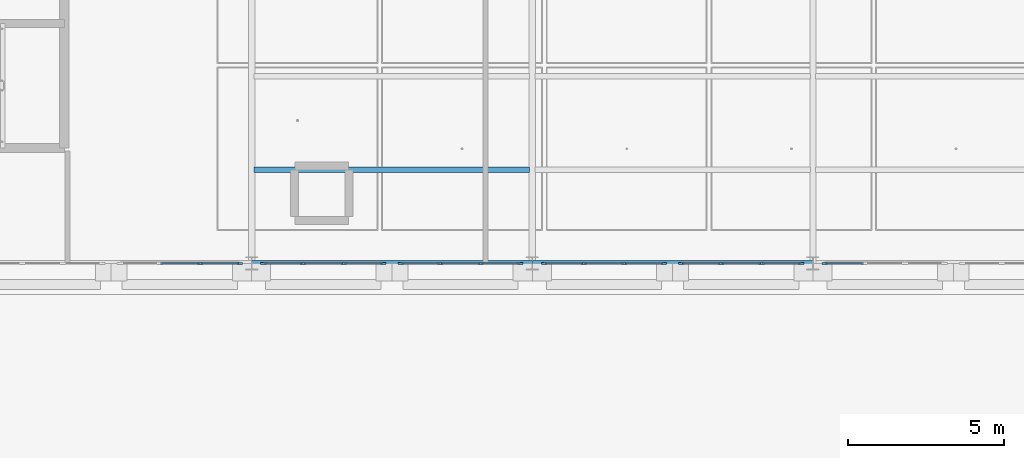
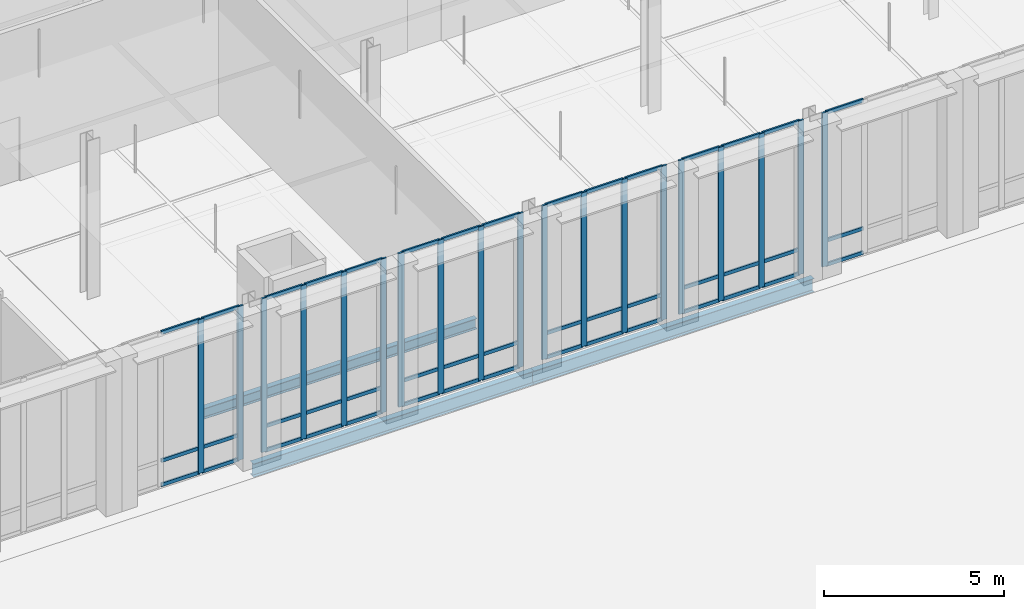
# One storey, part 64 of 180: 64 members, 3 beams, 6 elements without a shape of their own.
"""IFC4 building model written with IfcOpenShell, lengths in metres."""

from ifc_helpers import new_model, si_unit, direction, frame, origin, origin_2d, place, context, subcontext, project, spatial, rectangle, i_section, extrude, material, material_profile, profile_set, type_object, element, aggregate, save


model = new_model("IFC4")

# Units and contexts
model_context = context("Model", 3, precision=1e-05, world=origin(), true_north=direction((0.0, 1.0)))
body_context = subcontext(model_context, "Body", "Model", "MODEL_VIEW")
ifc_project = project(units=[si_unit("LENGTHUNIT", "METRE"), si_unit("AREAUNIT", "SQUARE_METRE"), si_unit("VOLUMEUNIT", "CUBIC_METRE"), si_unit("PLANEANGLEUNIT", "RADIAN"), si_unit("MASSUNIT", "GRAM", prefix="KILO"), si_unit("THERMODYNAMICTEMPERATUREUNIT", "KELVIN"), si_unit("POWERUNIT", "WATT")], contexts=[model_context])

# Site, building, storey
site_placement = place(None, origin())
site = spatial("IfcSite", under=ifc_project, at=site_placement, CompositionType="ELEMENT")
building_placement = place(site_placement, origin())
building = spatial("IfcBuilding", under=site, at=building_placement, Name="Tallowbark Science Centre", CompositionType="ELEMENT")
storey_placement = place(building_placement, origin())
storey = spatial("IfcBuildingStorey", under=building, at=storey_placement, Name="L00", CompositionType="ELEMENT", Elevation=0.0)

# Curtain wall, members
ifc_material_1 = material(Name="Unitised Thermally Broken Aluminium and Low-E Double Glazing", Category="aluminium")
curtain_wall_type = type_object("IfcCurtainWallType", Name="CW-SYS-FACADE", PredefinedType="NOTDEFINED", material=ifc_material_1)
curtain_wall_1_placement = place(storey_placement, origin())
curtain_wall_1 = element("IfcCurtainWall", 1, at=curtain_wall_1_placement, inside=storey, type_object=curtain_wall_type, Name="Unitised Curtain Wall OBS-S-121B CW-L00-093", PredefinedType="NOTDEFINED")
ifc_material_2 = material(Name="Anodised Architectural Aluminium Alloy 6063-T6", Category="aluminium")
ifc_material_profile_1 = material_profile(ifc_material_2, rectangle(XDim=0.06494140625, YDim=0.179931640625, at=origin_2d()), Name="ALU65x180")
ifc_profile_set_1 = profile_set([ifc_material_profile_1], Name="Anodised Architectural Aluminium Alloy 6063-T6")
member_type_1 = type_object("IfcMemberType", Name="CWM-MUL-220", PredefinedType="MULLION", material=ifc_profile_set_1)
member_1_placement = place(storey_placement, frame((128.85009765625, 72.0, 0.0), z_axis=(0.0, 0.0, 1.0), x_axis=(0.0, 1.0, 0.0)))
member_1 = element("IfcMember", 2, at=member_1_placement, type_object=member_type_1, Name="CW-01 mullion 3", PredefinedType="MULLION", context=body_context, shape_type="SweptSolid", body=[
    extrude(rectangle(XDim=0.06494140625, YDim=0.179931640625, at=origin_2d()), origin(), (0.0, 0.0, 1.0), 5.219970703125),
])
member_2_placement = place(storey_placement, frame((130.117431640625, 72.0, 0.0), z_axis=(0.0, 0.0, 1.0), x_axis=(0.0, 1.0, 0.0)))
member_2 = element("IfcMember", 3, at=member_2_placement, type_object=member_type_1, Name="CW-01 mullion 4", PredefinedType="MULLION", context=body_context, shape_type="SweptSolid", body=[
    extrude(rectangle(XDim=0.06494140625, YDim=0.179931640625, at=origin_2d()), origin(), (0.0, 0.0, 1.0), 5.219970703125),
])

curtain_wall_2_placement = place(storey_placement, origin())
curtain_wall_2 = element("IfcCurtainWall", 4, at=curtain_wall_2_placement, inside=storey, type_object=curtain_wall_type, Name="Unitised Curtain Wall OBS-S-130A CW-L00-096", PredefinedType="NOTDEFINED")
member_3_placement = place(storey_placement, frame((130.882568359375, 72.0, 0.0), z_axis=(0.0, 0.0, 1.0), x_axis=(0.0, 1.0, 0.0)))
member_3 = element("IfcMember", 5, at=member_3_placement, type_object=member_type_1, Name="CW-01 mullion 1", PredefinedType="MULLION", context=body_context, shape_type="SweptSolid", body=[
    extrude(rectangle(XDim=0.06494140625, YDim=0.179931640625, at=origin_2d()), origin(), (0.0, 0.0, 1.0), 5.219970703125),
])
member_4_placement = place(storey_placement, frame((132.14990234375, 72.0, 0.0), z_axis=(0.0, 0.0, 1.0), x_axis=(0.0, 1.0, 0.0)))
member_4 = element("IfcMember", 6, at=member_4_placement, type_object=member_type_1, Name="CW-01 mullion 2", PredefinedType="MULLION", context=body_context, shape_type="SweptSolid", body=[
    extrude(rectangle(XDim=0.06494140625, YDim=0.179931640625, at=origin_2d()), origin(), (0.0, 0.0, 1.0), 5.219970703125),
])
member_5_placement = place(storey_placement, frame((133.449951171875, 72.0, 0.0), z_axis=(0.0, 0.0, 1.0), x_axis=(0.0, 1.0, 0.0)))
member_5 = element("IfcMember", 7, at=member_5_placement, type_object=member_type_1, Name="CW-01 mullion 3", PredefinedType="MULLION", context=body_context, shape_type="SweptSolid", body=[
    extrude(rectangle(XDim=0.06494140625, YDim=0.179931640625, at=origin_2d()), origin(), (0.0, 0.0, 1.0), 5.219970703125),
])
member_6_placement = place(storey_placement, frame((134.717529296875, 72.0, 0.0), z_axis=(0.0, 0.0, 1.0), x_axis=(0.0, 1.0, 0.0)))
member_6 = element("IfcMember", 8, at=member_6_placement, type_object=member_type_1, Name="CW-01 mullion 4", PredefinedType="MULLION", context=body_context, shape_type="SweptSolid", body=[
    extrude(rectangle(XDim=0.06494140625, YDim=0.179931640625, at=origin_2d()), origin(), (0.0, 0.0, 1.0), 5.219970703125),
])

curtain_wall_3_placement = place(storey_placement, origin())
curtain_wall_3 = element("IfcCurtainWall", 9, at=curtain_wall_3_placement, inside=storey, type_object=curtain_wall_type, Name="Unitised Curtain Wall OBS-S-130B CW-L00-097", PredefinedType="NOTDEFINED")
member_7_placement = place(storey_placement, frame((135.282470703125, 72.0, 0.0), z_axis=(0.0, 0.0, 1.0), x_axis=(0.0, 1.0, 0.0)))
member_7 = element("IfcMember", 10, at=member_7_placement, type_object=member_type_1, Name="CW-01 mullion 1", PredefinedType="MULLION", context=body_context, shape_type="SweptSolid", body=[
    extrude(rectangle(XDim=0.06494140625, YDim=0.179931640625, at=origin_2d()), origin(), (0.0, 0.0, 1.0), 5.219970703125),
])
member_8_placement = place(storey_placement, frame((136.550048828125, 72.0, 0.0), z_axis=(0.0, 0.0, 1.0), x_axis=(0.0, 1.0, 0.0)))
member_8 = element("IfcMember", 11, at=member_8_placement, type_object=member_type_1, Name="CW-01 mullion 2", PredefinedType="MULLION", context=body_context, shape_type="SweptSolid", body=[
    extrude(rectangle(XDim=0.06494140625, YDim=0.179931640625, at=origin_2d()), origin(), (0.0, 0.0, 1.0), 5.219970703125),
])
member_9_placement = place(storey_placement, frame((137.85009765625, 72.0, 0.0), z_axis=(0.0, 0.0, 1.0), x_axis=(0.0, 1.0, 0.0)))
member_9 = element("IfcMember", 12, at=member_9_placement, type_object=member_type_1, Name="CW-01 mullion 3", PredefinedType="MULLION", context=body_context, shape_type="SweptSolid", body=[
    extrude(rectangle(XDim=0.06494140625, YDim=0.179931640625, at=origin_2d()), origin(), (0.0, 0.0, 1.0), 5.219970703125),
])
member_10_placement = place(storey_placement, frame((139.117431640625, 72.0, 0.0), z_axis=(0.0, 0.0, 1.0), x_axis=(0.0, 1.0, 0.0)))
member_10 = element("IfcMember", 13, at=member_10_placement, type_object=member_type_1, Name="CW-01 mullion 4", PredefinedType="MULLION", context=body_context, shape_type="SweptSolid", body=[
    extrude(rectangle(XDim=0.06494140625, YDim=0.179931640625, at=origin_2d()), origin(), (0.0, 0.0, 1.0), 5.219970703125),
])

curtain_wall_4_placement = place(storey_placement, origin())
curtain_wall_4 = element("IfcCurtainWall", 14, at=curtain_wall_4_placement, inside=storey, type_object=curtain_wall_type, Name="Unitised Curtain Wall OBS-S-139A CW-L00-098", PredefinedType="NOTDEFINED")
member_11_placement = place(storey_placement, frame((139.882568359375, 72.0, 0.0), z_axis=(0.0, 0.0, 1.0), x_axis=(0.0, 1.0, 0.0)))
member_11 = element("IfcMember", 15, at=member_11_placement, type_object=member_type_1, Name="CW-01 mullion 1", PredefinedType="MULLION", context=body_context, shape_type="SweptSolid", body=[
    extrude(rectangle(XDim=0.06494140625, YDim=0.179931640625, at=origin_2d()), origin(), (0.0, 0.0, 1.0), 5.219970703125),
])
member_12_placement = place(storey_placement, frame((141.14990234375, 72.0, 0.0), z_axis=(0.0, 0.0, 1.0), x_axis=(0.0, 1.0, 0.0)))
member_12 = element("IfcMember", 16, at=member_12_placement, type_object=member_type_1, Name="CW-01 mullion 2", PredefinedType="MULLION", context=body_context, shape_type="SweptSolid", body=[
    extrude(rectangle(XDim=0.06494140625, YDim=0.179931640625, at=origin_2d()), origin(), (0.0, 0.0, 1.0), 5.219970703125),
])
member_13_placement = place(storey_placement, frame((142.449951171875, 72.0, 0.0), z_axis=(0.0, 0.0, 1.0), x_axis=(0.0, 1.0, 0.0)))
member_13 = element("IfcMember", 17, at=member_13_placement, type_object=member_type_1, Name="CW-01 mullion 3", PredefinedType="MULLION", context=body_context, shape_type="SweptSolid", body=[
    extrude(rectangle(XDim=0.06494140625, YDim=0.179931640625, at=origin_2d()), origin(), (0.0, 0.0, 1.0), 5.219970703125),
])
member_14_placement = place(storey_placement, frame((143.717529296875, 72.0, 0.0), z_axis=(0.0, 0.0, 1.0), x_axis=(0.0, 1.0, 0.0)))
member_14 = element("IfcMember", 18, at=member_14_placement, type_object=member_type_1, Name="CW-01 mullion 4", PredefinedType="MULLION", context=body_context, shape_type="SweptSolid", body=[
    extrude(rectangle(XDim=0.06494140625, YDim=0.179931640625, at=origin_2d()), origin(), (0.0, 0.0, 1.0), 5.219970703125),
])

curtain_wall_5_placement = place(storey_placement, origin())
curtain_wall_5 = element("IfcCurtainWall", 19, at=curtain_wall_5_placement, inside=storey, type_object=curtain_wall_type, Name="Unitised Curtain Wall OBS-S-139B CW-L00-099", PredefinedType="NOTDEFINED")
member_15_placement = place(storey_placement, frame((144.282470703125, 72.0, 0.0), z_axis=(0.0, 0.0, 1.0), x_axis=(0.0, 1.0, 0.0)))
member_15 = element("IfcMember", 20, at=member_15_placement, type_object=member_type_1, Name="CW-01 mullion 1", PredefinedType="MULLION", context=body_context, shape_type="SweptSolid", body=[
    extrude(rectangle(XDim=0.06494140625, YDim=0.179931640625, at=origin_2d()), origin(), (0.0, 0.0, 1.0), 5.219970703125),
])
member_16_placement = place(storey_placement, frame((145.550048828125, 72.0, 0.0), z_axis=(0.0, 0.0, 1.0), x_axis=(0.0, 1.0, 0.0)))
member_16 = element("IfcMember", 21, at=member_16_placement, type_object=member_type_1, Name="CW-01 mullion 2", PredefinedType="MULLION", context=body_context, shape_type="SweptSolid", body=[
    extrude(rectangle(XDim=0.06494140625, YDim=0.179931640625, at=origin_2d()), origin(), (0.0, 0.0, 1.0), 5.219970703125),
])
member_17_placement = place(storey_placement, frame((146.85009765625, 72.0, 0.0), z_axis=(0.0, 0.0, 1.0), x_axis=(0.0, 1.0, 0.0)))
member_17 = element("IfcMember", 22, at=member_17_placement, type_object=member_type_1, Name="CW-01 mullion 3", PredefinedType="MULLION", context=body_context, shape_type="SweptSolid", body=[
    extrude(rectangle(XDim=0.06494140625, YDim=0.179931640625, at=origin_2d()), origin(), (0.0, 0.0, 1.0), 5.219970703125),
])
member_18_placement = place(storey_placement, frame((148.117431640625, 72.0, 0.0), z_axis=(0.0, 0.0, 1.0), x_axis=(0.0, 1.0, 0.0)))
member_18 = element("IfcMember", 23, at=member_18_placement, type_object=member_type_1, Name="CW-01 mullion 4", PredefinedType="MULLION", context=body_context, shape_type="SweptSolid", body=[
    extrude(rectangle(XDim=0.06494140625, YDim=0.179931640625, at=origin_2d()), origin(), (0.0, 0.0, 1.0), 5.219970703125),
])

# Curtain wall, member
curtain_wall_6_placement = place(storey_placement, origin())
curtain_wall_6 = element("IfcCurtainWall", 24, at=curtain_wall_6_placement, inside=storey, type_object=curtain_wall_type, Name="Unitised Curtain Wall OBS-S-148A CW-L00-102", PredefinedType="NOTDEFINED")
member_19_placement = place(storey_placement, frame((148.882568359375, 72.0, 0.0), z_axis=(0.0, 0.0, 1.0), x_axis=(0.0, 1.0, 0.0)))
member_19 = element("IfcMember", 25, at=member_19_placement, type_object=member_type_1, Name="CW-01 mullion 1", PredefinedType="MULLION", context=body_context, shape_type="SweptSolid", body=[
    extrude(rectangle(XDim=0.06494140625, YDim=0.179931640625, at=origin_2d()), origin(), (0.0, 0.0, 1.0), 5.219970703125),
])

# Member
ifc_material_profile_2 = material_profile(ifc_material_2, rectangle(XDim=0.054931640625, YDim=0.1201171875, at=origin_2d()), Name="ALU55x120")
ifc_profile_set_2 = profile_set([ifc_material_profile_2], Name="Anodised Architectural Aluminium Alloy 6063-T6")
member_type_2 = type_object("IfcMemberType", Name="CWM-TRN-150", PredefinedType="USERDEFINED", material=ifc_profile_set_2)
member_20_placement = place(storey_placement, frame((127.58251953125, 72.0, 0.027587890625), z_axis=(1.0, 0.0, 0.0), x_axis=(0.0, 1.0, 0.0)))
member_20 = element("IfcMember", 26, at=member_20_placement, type_object=member_type_2, Name="CW-01 transom 2.1", ObjectType="TRANSOM", PredefinedType="USERDEFINED", context=body_context, shape_type="SweptSolid", body=[
    extrude(rectangle(XDim=0.054931640625, YDim=0.1201171875, at=origin_2d()), origin(), (0.0, 0.0, 1.0), 1.23486328125),
])

member_21_placement = place(storey_placement, frame((127.58251953125, 72.0, 0.85009765625), z_axis=(1.0, 0.0, 0.0), x_axis=(0.0, 1.0, 0.0)))
member_21 = element("IfcMember", 27, at=member_21_placement, type_object=member_type_2, Name="CW-01 transom 2.2", ObjectType="TRANSOM", PredefinedType="USERDEFINED", context=body_context, shape_type="SweptSolid", body=[
    extrude(rectangle(XDim=0.054931640625, YDim=0.1201171875, at=origin_2d()), origin(), (0.0, 0.0, 1.0), 1.23486328125),
])

member_22_placement = place(storey_placement, frame((127.58251953125, 72.0, 5.1923828125), z_axis=(1.0, 0.0, 0.0), x_axis=(0.0, 1.0, 0.0)))
member_22 = element("IfcMember", 28, at=member_22_placement, type_object=member_type_2, Name="CW-01 transom 2.3", ObjectType="TRANSOM", PredefinedType="USERDEFINED", context=body_context, shape_type="SweptSolid", body=[
    extrude(rectangle(XDim=0.054931640625, YDim=0.1201171875, at=origin_2d()), origin(), (0.0, 0.0, 1.0), 1.23486328125),
])

member_23_placement = place(storey_placement, frame((128.882568359375, 72.0, 0.027587890625), z_axis=(1.0, 0.0, 0.0), x_axis=(0.0, 1.0, 0.0)))
member_23 = element("IfcMember", 29, at=member_23_placement, type_object=member_type_2, Name="CW-01 transom 3.1", ObjectType="TRANSOM", PredefinedType="USERDEFINED", context=body_context, shape_type="SweptSolid", body=[
    extrude(rectangle(XDim=0.054931640625, YDim=0.1201171875, at=origin_2d()), origin(), (0.0, 0.0, 1.0), 1.202392578125),
])

member_24_placement = place(storey_placement, frame((128.882568359375, 72.0, 0.85009765625), z_axis=(1.0, 0.0, 0.0), x_axis=(0.0, 1.0, 0.0)))
member_24 = element("IfcMember", 30, at=member_24_placement, type_object=member_type_2, Name="CW-01 transom 3.2", ObjectType="TRANSOM", PredefinedType="USERDEFINED", context=body_context, shape_type="SweptSolid", body=[
    extrude(rectangle(XDim=0.054931640625, YDim=0.1201171875, at=origin_2d()), origin(), (0.0, 0.0, 1.0), 1.202392578125),
])

member_25_placement = place(storey_placement, frame((128.882568359375, 72.0, 5.1923828125), z_axis=(1.0, 0.0, 0.0), x_axis=(0.0, 1.0, 0.0)))
member_25 = element("IfcMember", 31, at=member_25_placement, type_object=member_type_2, Name="CW-01 transom 3.3", ObjectType="TRANSOM", PredefinedType="USERDEFINED", context=body_context, shape_type="SweptSolid", body=[
    extrude(rectangle(XDim=0.054931640625, YDim=0.1201171875, at=origin_2d()), origin(), (0.0, 0.0, 1.0), 1.202392578125),
])

aggregate(curtain_wall_1, [member_1, member_2, member_20, member_21, member_22, member_23, member_24, member_25])

member_26_placement = place(storey_placement, frame((130.9150390625, 72.0, 0.027587890625), z_axis=(1.0, 0.0, 0.0), x_axis=(0.0, 1.0, 0.0)))
member_26 = element("IfcMember", 32, at=member_26_placement, type_object=member_type_2, Name="CW-01 transom 1.1", ObjectType="TRANSOM", PredefinedType="USERDEFINED", context=body_context, shape_type="SweptSolid", body=[
    extrude(rectangle(XDim=0.054931640625, YDim=0.1201171875, at=origin_2d()), origin(), (0.0, 0.0, 1.0), 1.202392578125),
])

member_27_placement = place(storey_placement, frame((130.9150390625, 72.0, 0.85009765625), z_axis=(1.0, 0.0, 0.0), x_axis=(0.0, 1.0, 0.0)))
member_27 = element("IfcMember", 33, at=member_27_placement, type_object=member_type_2, Name="CW-01 transom 1.2", ObjectType="TRANSOM", PredefinedType="USERDEFINED", context=body_context, shape_type="SweptSolid", body=[
    extrude(rectangle(XDim=0.054931640625, YDim=0.1201171875, at=origin_2d()), origin(), (0.0, 0.0, 1.0), 1.202392578125),
])

member_28_placement = place(storey_placement, frame((130.9150390625, 72.0, 5.1923828125), z_axis=(1.0, 0.0, 0.0), x_axis=(0.0, 1.0, 0.0)))
member_28 = element("IfcMember", 34, at=member_28_placement, type_object=member_type_2, Name="CW-01 transom 1.3", ObjectType="TRANSOM", PredefinedType="USERDEFINED", context=body_context, shape_type="SweptSolid", body=[
    extrude(rectangle(XDim=0.054931640625, YDim=0.1201171875, at=origin_2d()), origin(), (0.0, 0.0, 1.0), 1.202392578125),
])

member_29_placement = place(storey_placement, frame((132.1826171875, 72.0, 0.027587890625), z_axis=(1.0, 0.0, 0.0), x_axis=(0.0, 1.0, 0.0)))
member_29 = element("IfcMember", 35, at=member_29_placement, type_object=member_type_2, Name="CW-01 transom 2.1", ObjectType="TRANSOM", PredefinedType="USERDEFINED", context=body_context, shape_type="SweptSolid", body=[
    extrude(rectangle(XDim=0.054931640625, YDim=0.1201171875, at=origin_2d()), origin(), (0.0, 0.0, 1.0), 1.23486328125),
])

member_30_placement = place(storey_placement, frame((132.1826171875, 72.0, 0.85009765625), z_axis=(1.0, 0.0, 0.0), x_axis=(0.0, 1.0, 0.0)))
member_30 = element("IfcMember", 36, at=member_30_placement, type_object=member_type_2, Name="CW-01 transom 2.2", ObjectType="TRANSOM", PredefinedType="USERDEFINED", context=body_context, shape_type="SweptSolid", body=[
    extrude(rectangle(XDim=0.054931640625, YDim=0.1201171875, at=origin_2d()), origin(), (0.0, 0.0, 1.0), 1.23486328125),
])

member_31_placement = place(storey_placement, frame((132.1826171875, 72.0, 5.1923828125), z_axis=(1.0, 0.0, 0.0), x_axis=(0.0, 1.0, 0.0)))
member_31 = element("IfcMember", 37, at=member_31_placement, type_object=member_type_2, Name="CW-01 transom 2.3", ObjectType="TRANSOM", PredefinedType="USERDEFINED", context=body_context, shape_type="SweptSolid", body=[
    extrude(rectangle(XDim=0.054931640625, YDim=0.1201171875, at=origin_2d()), origin(), (0.0, 0.0, 1.0), 1.23486328125),
])

member_32_placement = place(storey_placement, frame((133.482421875, 72.0, 0.027587890625), z_axis=(1.0, 0.0, 0.0), x_axis=(0.0, 1.0, 0.0)))
member_32 = element("IfcMember", 38, at=member_32_placement, type_object=member_type_2, Name="CW-01 transom 3.1", ObjectType="TRANSOM", PredefinedType="USERDEFINED", context=body_context, shape_type="SweptSolid", body=[
    extrude(rectangle(XDim=0.054931640625, YDim=0.1201171875, at=origin_2d()), origin(), (0.0, 0.0, 1.0), 1.20263671875),
])

member_33_placement = place(storey_placement, frame((133.482421875, 72.0, 0.85009765625), z_axis=(1.0, 0.0, 0.0), x_axis=(0.0, 1.0, 0.0)))
member_33 = element("IfcMember", 39, at=member_33_placement, type_object=member_type_2, Name="CW-01 transom 3.2", ObjectType="TRANSOM", PredefinedType="USERDEFINED", context=body_context, shape_type="SweptSolid", body=[
    extrude(rectangle(XDim=0.054931640625, YDim=0.1201171875, at=origin_2d()), origin(), (0.0, 0.0, 1.0), 1.20263671875),
])

member_34_placement = place(storey_placement, frame((133.482421875, 72.0, 5.1923828125), z_axis=(1.0, 0.0, 0.0), x_axis=(0.0, 1.0, 0.0)))
member_34 = element("IfcMember", 40, at=member_34_placement, type_object=member_type_2, Name="CW-01 transom 3.3", ObjectType="TRANSOM", PredefinedType="USERDEFINED", context=body_context, shape_type="SweptSolid", body=[
    extrude(rectangle(XDim=0.054931640625, YDim=0.1201171875, at=origin_2d()), origin(), (0.0, 0.0, 1.0), 1.20263671875),
])

aggregate(curtain_wall_2, [member_3, member_4, member_5, member_6, member_26, member_27, member_28, member_29, member_30, member_31, member_32, member_33, member_34])

member_35_placement = place(storey_placement, frame((135.31494140625, 72.0, 0.027587890625), z_axis=(1.0, 0.0, 0.0), x_axis=(0.0, 1.0, 0.0)))
member_35 = element("IfcMember", 41, at=member_35_placement, type_object=member_type_2, Name="CW-01 transom 1.1", ObjectType="TRANSOM", PredefinedType="USERDEFINED", context=body_context, shape_type="SweptSolid", body=[
    extrude(rectangle(XDim=0.054931640625, YDim=0.1201171875, at=origin_2d()), origin(), (0.0, 0.0, 1.0), 1.20263671875),
])

member_36_placement = place(storey_placement, frame((135.31494140625, 72.0, 0.85009765625), z_axis=(1.0, 0.0, 0.0), x_axis=(0.0, 1.0, 0.0)))
member_36 = element("IfcMember", 42, at=member_36_placement, type_object=member_type_2, Name="CW-01 transom 1.2", ObjectType="TRANSOM", PredefinedType="USERDEFINED", context=body_context, shape_type="SweptSolid", body=[
    extrude(rectangle(XDim=0.054931640625, YDim=0.1201171875, at=origin_2d()), origin(), (0.0, 0.0, 1.0), 1.20263671875),
])

member_37_placement = place(storey_placement, frame((135.31494140625, 72.0, 5.1923828125), z_axis=(1.0, 0.0, 0.0), x_axis=(0.0, 1.0, 0.0)))
member_37 = element("IfcMember", 43, at=member_37_placement, type_object=member_type_2, Name="CW-01 transom 1.3", ObjectType="TRANSOM", PredefinedType="USERDEFINED", context=body_context, shape_type="SweptSolid", body=[
    extrude(rectangle(XDim=0.054931640625, YDim=0.1201171875, at=origin_2d()), origin(), (0.0, 0.0, 1.0), 1.20263671875),
])

member_38_placement = place(storey_placement, frame((136.58251953125, 72.0, 0.027587890625), z_axis=(1.0, 0.0, 0.0), x_axis=(0.0, 1.0, 0.0)))
member_38 = element("IfcMember", 44, at=member_38_placement, type_object=member_type_2, Name="CW-01 transom 2.1", ObjectType="TRANSOM", PredefinedType="USERDEFINED", context=body_context, shape_type="SweptSolid", body=[
    extrude(rectangle(XDim=0.054931640625, YDim=0.1201171875, at=origin_2d()), origin(), (0.0, 0.0, 1.0), 1.23486328125),
])

member_39_placement = place(storey_placement, frame((136.58251953125, 72.0, 0.85009765625), z_axis=(1.0, 0.0, 0.0), x_axis=(0.0, 1.0, 0.0)))
member_39 = element("IfcMember", 45, at=member_39_placement, type_object=member_type_2, Name="CW-01 transom 2.2", ObjectType="TRANSOM", PredefinedType="USERDEFINED", context=body_context, shape_type="SweptSolid", body=[
    extrude(rectangle(XDim=0.054931640625, YDim=0.1201171875, at=origin_2d()), origin(), (0.0, 0.0, 1.0), 1.23486328125),
])

member_40_placement = place(storey_placement, frame((136.58251953125, 72.0, 5.1923828125), z_axis=(1.0, 0.0, 0.0), x_axis=(0.0, 1.0, 0.0)))
member_40 = element("IfcMember", 46, at=member_40_placement, type_object=member_type_2, Name="CW-01 transom 2.3", ObjectType="TRANSOM", PredefinedType="USERDEFINED", context=body_context, shape_type="SweptSolid", body=[
    extrude(rectangle(XDim=0.054931640625, YDim=0.1201171875, at=origin_2d()), origin(), (0.0, 0.0, 1.0), 1.23486328125),
])

member_41_placement = place(storey_placement, frame((137.882568359375, 72.0, 0.027587890625), z_axis=(1.0, 0.0, 0.0), x_axis=(0.0, 1.0, 0.0)))
member_41 = element("IfcMember", 47, at=member_41_placement, type_object=member_type_2, Name="CW-01 transom 3.1", ObjectType="TRANSOM", PredefinedType="USERDEFINED", context=body_context, shape_type="SweptSolid", body=[
    extrude(rectangle(XDim=0.054931640625, YDim=0.1201171875, at=origin_2d()), origin(), (0.0, 0.0, 1.0), 1.202392578125),
])

member_42_placement = place(storey_placement, frame((137.882568359375, 72.0, 0.85009765625), z_axis=(1.0, 0.0, 0.0), x_axis=(0.0, 1.0, 0.0)))
member_42 = element("IfcMember", 48, at=member_42_placement, type_object=member_type_2, Name="CW-01 transom 3.2", ObjectType="TRANSOM", PredefinedType="USERDEFINED", context=body_context, shape_type="SweptSolid", body=[
    extrude(rectangle(XDim=0.054931640625, YDim=0.1201171875, at=origin_2d()), origin(), (0.0, 0.0, 1.0), 1.202392578125),
])

member_43_placement = place(storey_placement, frame((137.882568359375, 72.0, 5.1923828125), z_axis=(1.0, 0.0, 0.0), x_axis=(0.0, 1.0, 0.0)))
member_43 = element("IfcMember", 49, at=member_43_placement, type_object=member_type_2, Name="CW-01 transom 3.3", ObjectType="TRANSOM", PredefinedType="USERDEFINED", context=body_context, shape_type="SweptSolid", body=[
    extrude(rectangle(XDim=0.054931640625, YDim=0.1201171875, at=origin_2d()), origin(), (0.0, 0.0, 1.0), 1.202392578125),
])

aggregate(curtain_wall_3, [member_7, member_8, member_9, member_10, member_35, member_36, member_37, member_38, member_39, member_40, member_41, member_42, member_43])

member_44_placement = place(storey_placement, frame((139.9150390625, 72.0, 0.027587890625), z_axis=(1.0, 0.0, 0.0), x_axis=(0.0, 1.0, 0.0)))
member_44 = element("IfcMember", 50, at=member_44_placement, type_object=member_type_2, Name="CW-01 transom 1.1", ObjectType="TRANSOM", PredefinedType="USERDEFINED", context=body_context, shape_type="SweptSolid", body=[
    extrude(rectangle(XDim=0.054931640625, YDim=0.1201171875, at=origin_2d()), origin(), (0.0, 0.0, 1.0), 1.202392578125),
])

member_45_placement = place(storey_placement, frame((139.9150390625, 72.0, 0.85009765625), z_axis=(1.0, 0.0, 0.0), x_axis=(0.0, 1.0, 0.0)))
member_45 = element("IfcMember", 51, at=member_45_placement, type_object=member_type_2, Name="CW-01 transom 1.2", ObjectType="TRANSOM", PredefinedType="USERDEFINED", context=body_context, shape_type="SweptSolid", body=[
    extrude(rectangle(XDim=0.054931640625, YDim=0.1201171875, at=origin_2d()), origin(), (0.0, 0.0, 1.0), 1.202392578125),
])

member_46_placement = place(storey_placement, frame((139.9150390625, 72.0, 5.1923828125), z_axis=(1.0, 0.0, 0.0), x_axis=(0.0, 1.0, 0.0)))
member_46 = element("IfcMember", 52, at=member_46_placement, type_object=member_type_2, Name="CW-01 transom 1.3", ObjectType="TRANSOM", PredefinedType="USERDEFINED", context=body_context, shape_type="SweptSolid", body=[
    extrude(rectangle(XDim=0.054931640625, YDim=0.1201171875, at=origin_2d()), origin(), (0.0, 0.0, 1.0), 1.202392578125),
])

member_47_placement = place(storey_placement, frame((141.1826171875, 72.0, 0.027587890625), z_axis=(1.0, 0.0, 0.0), x_axis=(0.0, 1.0, 0.0)))
member_47 = element("IfcMember", 53, at=member_47_placement, type_object=member_type_2, Name="CW-01 transom 2.1", ObjectType="TRANSOM", PredefinedType="USERDEFINED", context=body_context, shape_type="SweptSolid", body=[
    extrude(rectangle(XDim=0.054931640625, YDim=0.1201171875, at=origin_2d()), origin(), (0.0, 0.0, 1.0), 1.23486328125),
])

member_48_placement = place(storey_placement, frame((141.1826171875, 72.0, 0.85009765625), z_axis=(1.0, 0.0, 0.0), x_axis=(0.0, 1.0, 0.0)))
member_48 = element("IfcMember", 54, at=member_48_placement, type_object=member_type_2, Name="CW-01 transom 2.2", ObjectType="TRANSOM", PredefinedType="USERDEFINED", context=body_context, shape_type="SweptSolid", body=[
    extrude(rectangle(XDim=0.054931640625, YDim=0.1201171875, at=origin_2d()), origin(), (0.0, 0.0, 1.0), 1.23486328125),
])

member_49_placement = place(storey_placement, frame((141.1826171875, 72.0, 5.1923828125), z_axis=(1.0, 0.0, 0.0), x_axis=(0.0, 1.0, 0.0)))
member_49 = element("IfcMember", 55, at=member_49_placement, type_object=member_type_2, Name="CW-01 transom 2.3", ObjectType="TRANSOM", PredefinedType="USERDEFINED", context=body_context, shape_type="SweptSolid", body=[
    extrude(rectangle(XDim=0.054931640625, YDim=0.1201171875, at=origin_2d()), origin(), (0.0, 0.0, 1.0), 1.23486328125),
])

member_50_placement = place(storey_placement, frame((142.482421875, 72.0, 0.027587890625), z_axis=(1.0, 0.0, 0.0), x_axis=(0.0, 1.0, 0.0)))
member_50 = element("IfcMember", 56, at=member_50_placement, type_object=member_type_2, Name="CW-01 transom 3.1", ObjectType="TRANSOM", PredefinedType="USERDEFINED", context=body_context, shape_type="SweptSolid", body=[
    extrude(rectangle(XDim=0.054931640625, YDim=0.1201171875, at=origin_2d()), origin(), (0.0, 0.0, 1.0), 1.20263671875),
])

member_51_placement = place(storey_placement, frame((142.482421875, 72.0, 0.85009765625), z_axis=(1.0, 0.0, 0.0), x_axis=(0.0, 1.0, 0.0)))
member_51 = element("IfcMember", 57, at=member_51_placement, type_object=member_type_2, Name="CW-01 transom 3.2", ObjectType="TRANSOM", PredefinedType="USERDEFINED", context=body_context, shape_type="SweptSolid", body=[
    extrude(rectangle(XDim=0.054931640625, YDim=0.1201171875, at=origin_2d()), origin(), (0.0, 0.0, 1.0), 1.20263671875),
])

member_52_placement = place(storey_placement, frame((142.482421875, 72.0, 5.1923828125), z_axis=(1.0, 0.0, 0.0), x_axis=(0.0, 1.0, 0.0)))
member_52 = element("IfcMember", 58, at=member_52_placement, type_object=member_type_2, Name="CW-01 transom 3.3", ObjectType="TRANSOM", PredefinedType="USERDEFINED", context=body_context, shape_type="SweptSolid", body=[
    extrude(rectangle(XDim=0.054931640625, YDim=0.1201171875, at=origin_2d()), origin(), (0.0, 0.0, 1.0), 1.20263671875),
])

aggregate(curtain_wall_4, [member_11, member_12, member_13, member_14, member_44, member_45, member_46, member_47, member_48, member_49, member_50, member_51, member_52])

member_53_placement = place(storey_placement, frame((144.31494140625, 72.0, 0.027587890625), z_axis=(1.0, 0.0, 0.0), x_axis=(0.0, 1.0, 0.0)))
member_53 = element("IfcMember", 59, at=member_53_placement, type_object=member_type_2, Name="CW-01 transom 1.1", ObjectType="TRANSOM", PredefinedType="USERDEFINED", context=body_context, shape_type="SweptSolid", body=[
    extrude(rectangle(XDim=0.054931640625, YDim=0.1201171875, at=origin_2d()), origin(), (0.0, 0.0, 1.0), 1.20263671875),
])

member_54_placement = place(storey_placement, frame((144.31494140625, 72.0, 0.85009765625), z_axis=(1.0, 0.0, 0.0), x_axis=(0.0, 1.0, 0.0)))
member_54 = element("IfcMember", 60, at=member_54_placement, type_object=member_type_2, Name="CW-01 transom 1.2", ObjectType="TRANSOM", PredefinedType="USERDEFINED", context=body_context, shape_type="SweptSolid", body=[
    extrude(rectangle(XDim=0.054931640625, YDim=0.1201171875, at=origin_2d()), origin(), (0.0, 0.0, 1.0), 1.20263671875),
])

member_55_placement = place(storey_placement, frame((144.31494140625, 72.0, 5.1923828125), z_axis=(1.0, 0.0, 0.0), x_axis=(0.0, 1.0, 0.0)))
member_55 = element("IfcMember", 61, at=member_55_placement, type_object=member_type_2, Name="CW-01 transom 1.3", ObjectType="TRANSOM", PredefinedType="USERDEFINED", context=body_context, shape_type="SweptSolid", body=[
    extrude(rectangle(XDim=0.054931640625, YDim=0.1201171875, at=origin_2d()), origin(), (0.0, 0.0, 1.0), 1.20263671875),
])

member_56_placement = place(storey_placement, frame((145.58251953125, 72.0, 0.027587890625), z_axis=(1.0, 0.0, 0.0), x_axis=(0.0, 1.0, 0.0)))
member_56 = element("IfcMember", 62, at=member_56_placement, type_object=member_type_2, Name="CW-01 transom 2.1", ObjectType="TRANSOM", PredefinedType="USERDEFINED", context=body_context, shape_type="SweptSolid", body=[
    extrude(rectangle(XDim=0.054931640625, YDim=0.1201171875, at=origin_2d()), origin(), (0.0, 0.0, 1.0), 1.23486328125),
])

member_57_placement = place(storey_placement, frame((145.58251953125, 72.0, 0.85009765625), z_axis=(1.0, 0.0, 0.0), x_axis=(0.0, 1.0, 0.0)))
member_57 = element("IfcMember", 63, at=member_57_placement, type_object=member_type_2, Name="CW-01 transom 2.2", ObjectType="TRANSOM", PredefinedType="USERDEFINED", context=body_context, shape_type="SweptSolid", body=[
    extrude(rectangle(XDim=0.054931640625, YDim=0.1201171875, at=origin_2d()), origin(), (0.0, 0.0, 1.0), 1.23486328125),
])

member_58_placement = place(storey_placement, frame((145.58251953125, 72.0, 5.1923828125), z_axis=(1.0, 0.0, 0.0), x_axis=(0.0, 1.0, 0.0)))
member_58 = element("IfcMember", 64, at=member_58_placement, type_object=member_type_2, Name="CW-01 transom 2.3", ObjectType="TRANSOM", PredefinedType="USERDEFINED", context=body_context, shape_type="SweptSolid", body=[
    extrude(rectangle(XDim=0.054931640625, YDim=0.1201171875, at=origin_2d()), origin(), (0.0, 0.0, 1.0), 1.23486328125),
])

member_59_placement = place(storey_placement, frame((146.882568359375, 72.0, 0.027587890625), z_axis=(1.0, 0.0, 0.0), x_axis=(0.0, 1.0, 0.0)))
member_59 = element("IfcMember", 65, at=member_59_placement, type_object=member_type_2, Name="CW-01 transom 3.1", ObjectType="TRANSOM", PredefinedType="USERDEFINED", context=body_context, shape_type="SweptSolid", body=[
    extrude(rectangle(XDim=0.054931640625, YDim=0.1201171875, at=origin_2d()), origin(), (0.0, 0.0, 1.0), 1.202392578125),
])

member_60_placement = place(storey_placement, frame((146.882568359375, 72.0, 0.85009765625), z_axis=(1.0, 0.0, 0.0), x_axis=(0.0, 1.0, 0.0)))
member_60 = element("IfcMember", 66, at=member_60_placement, type_object=member_type_2, Name="CW-01 transom 3.2", ObjectType="TRANSOM", PredefinedType="USERDEFINED", context=body_context, shape_type="SweptSolid", body=[
    extrude(rectangle(XDim=0.054931640625, YDim=0.1201171875, at=origin_2d()), origin(), (0.0, 0.0, 1.0), 1.202392578125),
])

member_61_placement = place(storey_placement, frame((146.882568359375, 72.0, 5.1923828125), z_axis=(1.0, 0.0, 0.0), x_axis=(0.0, 1.0, 0.0)))
member_61 = element("IfcMember", 67, at=member_61_placement, type_object=member_type_2, Name="CW-01 transom 3.3", ObjectType="TRANSOM", PredefinedType="USERDEFINED", context=body_context, shape_type="SweptSolid", body=[
    extrude(rectangle(XDim=0.054931640625, YDim=0.1201171875, at=origin_2d()), origin(), (0.0, 0.0, 1.0), 1.202392578125),
])

aggregate(curtain_wall_5, [member_15, member_16, member_17, member_18, member_53, member_54, member_55, member_56, member_57, member_58, member_59, member_60, member_61])

member_62_placement = place(storey_placement, frame((148.9150390625, 72.0, 0.027587890625), z_axis=(1.0, 0.0, 0.0), x_axis=(0.0, 1.0, 0.0)))
member_62 = element("IfcMember", 68, at=member_62_placement, type_object=member_type_2, Name="CW-01 transom 1.1", ObjectType="TRANSOM", PredefinedType="USERDEFINED", context=body_context, shape_type="SweptSolid", body=[
    extrude(rectangle(XDim=0.054931640625, YDim=0.1201171875, at=origin_2d()), origin(), (0.0, 0.0, 1.0), 1.202392578125),
])

member_63_placement = place(storey_placement, frame((148.9150390625, 72.0, 0.85009765625), z_axis=(1.0, 0.0, 0.0), x_axis=(0.0, 1.0, 0.0)))
member_63 = element("IfcMember", 69, at=member_63_placement, type_object=member_type_2, Name="CW-01 transom 1.2", ObjectType="TRANSOM", PredefinedType="USERDEFINED", context=body_context, shape_type="SweptSolid", body=[
    extrude(rectangle(XDim=0.054931640625, YDim=0.1201171875, at=origin_2d()), origin(), (0.0, 0.0, 1.0), 1.202392578125),
])

member_64_placement = place(storey_placement, frame((148.9150390625, 72.0, 5.1923828125), z_axis=(1.0, 0.0, 0.0), x_axis=(0.0, 1.0, 0.0)))
member_64 = element("IfcMember", 70, at=member_64_placement, type_object=member_type_2, Name="CW-01 transom 1.3", ObjectType="TRANSOM", PredefinedType="USERDEFINED", context=body_context, shape_type="SweptSolid", body=[
    extrude(rectangle(XDim=0.054931640625, YDim=0.1201171875, at=origin_2d()), origin(), (0.0, 0.0, 1.0), 1.202392578125),
])

aggregate(curtain_wall_6, [member_19, member_62, member_63, member_64])

# Beams
ifc_material_3 = material(Name="Structural Steel Grade 300PLUS (300 MPa)", Category="steel")
ifc_material_profile_3 = material_profile(ifc_material_3, i_section(OverallWidth=0.172119140625, OverallDepth=0.358642578125, WebThickness=0.008056640625, FlangeThickness=0.012939453125, FilletRadius=0.011474609375, at=origin_2d()), Name="360UB56.7")
ifc_profile_set_3 = profile_set([ifc_material_profile_3], Name="Structural Steel Grade 300PLUS (300 MPa)")
beam_type_1 = type_object("IfcBeamType", Name="JST-UB360", PredefinedType="JOIST", material=ifc_profile_set_3)
beam_placement = place(storey_placement, frame((130.5849609375, 75.0, -0.419189453125), z_axis=(1.0, 0.0, 0.0), x_axis=(0.0, 1.0, 0.0)))
element("IfcBeam", 71, at=beam_placement, inside=storey, type_object=beam_type_1, Name="Composite Floor Joist JSTX-L00-1305-750", PredefinedType="JOIST", context=body_context, shape_type="SweptSolid", body=[
    extrude(i_section(OverallWidth=0.172119140625, OverallDepth=0.358642578125, WebThickness=0.008056640625, FlangeThickness=0.012939453125, FilletRadius=0.011474609375, at=origin_2d()), origin(), (0.0, 0.0, 1.0), 8.830078125),
])
ifc_material_profile_4 = material_profile(ifc_material_3, i_section(OverallWidth=0.18994140625, OverallDepth=0.453857421875, WebThickness=0.008544921875, FlangeThickness=0.0126953125, FilletRadius=0.011474609375, at=origin_2d()), Name="460UB67.1")
ifc_profile_set_4 = profile_set([ifc_material_profile_4], Name="Structural Steel Grade 300PLUS (300 MPa)")
beam_type_2 = type_object("IfcBeamType", Name="SPN-UB460", PredefinedType="SPANDREL", material=ifc_profile_set_4)
for number, where, z_axis, x_axis, name in (
    (72, (130.5, 72.0, -0.466796875), (1.0, 0.0, 0.0), (0.0, 1.0, 0.0), "Primary Girder GRDX-L00-1305-1395-720"),
    (73, (139.5, 72.0, -0.466796875), (1.0, 0.0, 0.0), (0.0, 1.0, 0.0), "Primary Girder GRDX-L00-1395-1485-720"),
):
    element("IfcBeam", number, at=place(storey_placement, frame(where, z_axis=z_axis, x_axis=x_axis)), inside=storey, type_object=beam_type_2, Name=name, PredefinedType="SPANDREL", context=body_context, shape_type="SweptSolid", body=[
        extrude(i_section(OverallWidth=0.18994140625, OverallDepth=0.453857421875, WebThickness=0.008544921875, FlangeThickness=0.0126953125, FilletRadius=0.011474609375, at=origin_2d()), origin(), (0.0, 0.0, 1.0), 9.0),
    ])

save(model, "model.ifc")
